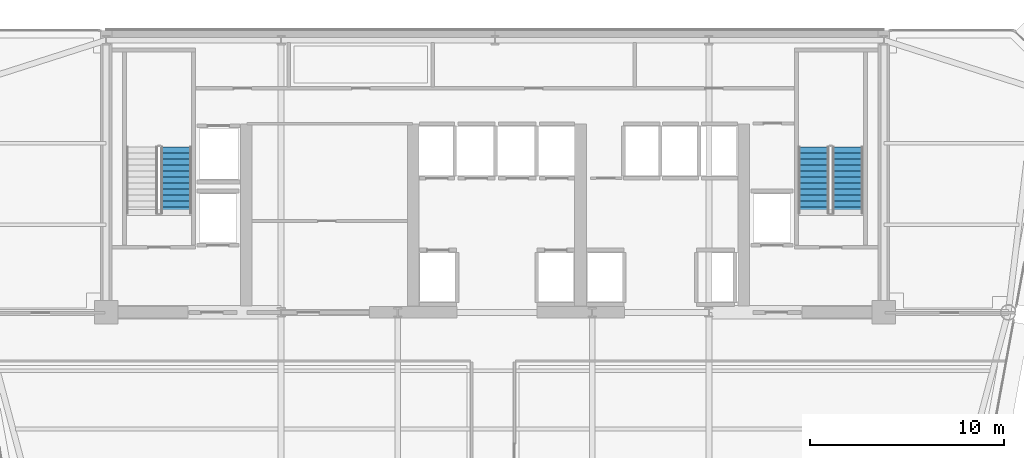
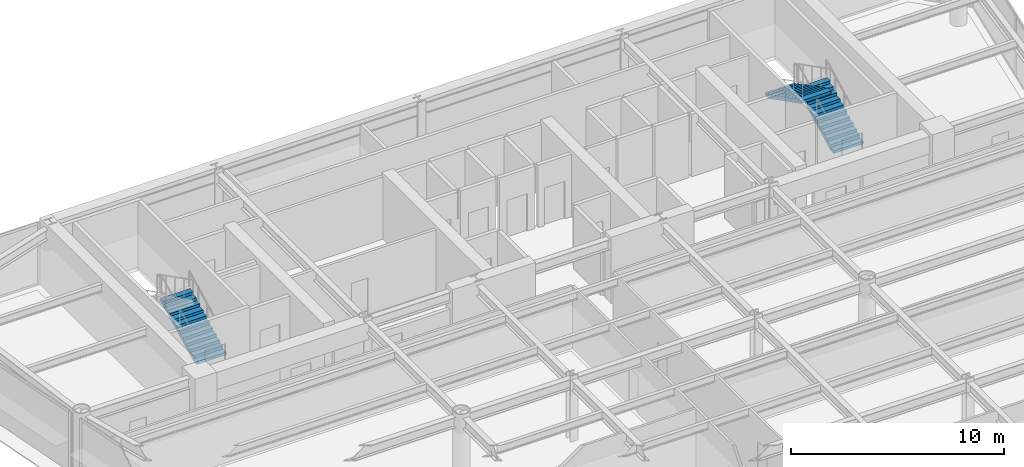
# One storey, part 12 of 16: 3 stair flights, 2 elements without a shape of their own.
"""IFC4 building model written with IfcOpenShell, lengths in metres."""

import ifcopenshell
import ifcopenshell.guid

model = None  # the IFC model being written
_history = None  # IfcOwnerHistory: only IFC2X3 demands one
_inside = {}  # id of a spatial element -> (the spatial element, [elements in it])
_under = {}  # id of a project, library or spatial element -> (it, [spatial elements below it])
_declared = {}  # id of a project -> (the project, [libraries it declares])
_typed = {}  # id of a type object -> (the type object, [elements of that type])
_made_of = {}  # id of a material, layer set ... -> (it, [elements and type objects made of it])


def new_model(schema):
    """Start an empty IFC model of exactly this schema.

    Asked for "IFC4X3", IfcOpenShell would pick the latest addendum, in which some entities
    have other attributes; the version numbers below select the first issue.
    IFC2X3 requires an IfcOwnerHistory on every rooted entity: one is made here for all.
    """
    global model, _history
    if schema == "IFC4X3":
        model = ifcopenshell.file(schema_version=(4, 3, 0, 0))
    else:
        model = ifcopenshell.file(schema=schema)
    _inside.clear()
    _under.clear()
    _declared.clear()
    _typed.clear()
    _made_of.clear()
    _history = None
    if model.schema == "IFC2X3":
        org = make("IfcOrganization", Name="unknown")
        user = make(
            "IfcPersonAndOrganization",
            ThePerson=make("IfcPerson", FamilyName="unknown"),
            TheOrganization=org,
        )
        app = make(
            "IfcApplication",
            ApplicationDeveloper=org,
            Version="unknown",
            ApplicationFullName="unknown",
            ApplicationIdentifier="unknown",
        )
        _history = make(
            "IfcOwnerHistory",
            OwningUser=user,
            OwningApplication=app,
            ChangeAction="ADDED",
            CreationDate=0,
        )
    return model


def make(cls, **values):
    """One entity of the class cls with the attributes given. An attribute that is None is left unset."""
    return model.create_entity(
        cls, **{name: value for name, value in values.items() if value is not None}
    )


def rooted(cls, **values):
    """An entity with a GlobalId (a new one), such as an element, a storey or a relation."""
    return make(cls, GlobalId=ifcopenshell.guid.new(), OwnerHistory=_history, **values)


def si_unit(unit_type, name, prefix=None):
    """IfcSIUnit, for example si_unit("LENGTHUNIT", "METRE", prefix="MILLI")."""
    return make("IfcSIUnit", UnitType=unit_type, Prefix=prefix, Name=name)


def assignment(units):
    """IfcUnitAssignment: the units of a project."""
    return None if units is None else make("IfcUnitAssignment", Units=units)


def point(xyz):
    """IfcCartesianPoint."""
    return None if xyz is None else make("IfcCartesianPoint", Coordinates=xyz)


def direction(xyz):
    """IfcDirection."""
    return None if xyz is None else make("IfcDirection", DirectionRatios=xyz)


def frame(location, z_axis=None, x_axis=None):
    """IfcAxis2Placement3D, a coordinate frame: its origin and axes. An axis left out is left unset."""
    return make(
        "IfcAxis2Placement3D",
        Location=point(location),
        Axis=direction(z_axis),
        RefDirection=direction(x_axis),
    )


def origin():
    """The frame at (0, 0, 0) with its axes left unset."""
    return frame((0.0, 0.0, 0.0))


def place(relative_to, where):
    """IfcLocalPlacement: puts the frame where relative to a parent placement (None: the world)."""
    return make(
        "IfcLocalPlacement", PlacementRelTo=relative_to, RelativePlacement=where
    )


def context(
    kind, dimensions, precision=None, world=None, true_north=None, identifier=None
):
    """IfcGeometricRepresentationContext, for example the 3D "Model" context."""
    return make(
        "IfcGeometricRepresentationContext",
        ContextIdentifier=identifier,
        ContextType=kind,
        CoordinateSpaceDimension=dimensions,
        Precision=precision,
        WorldCoordinateSystem=world,
        TrueNorth=true_north,
    )


def subcontext(parent, identifier, kind, view, scale=None):
    """IfcGeometricRepresentationSubContext, for example "Body" below "Model"."""
    return make(
        "IfcGeometricRepresentationSubContext",
        ContextIdentifier=identifier,
        ContextType=kind,
        ParentContext=parent,
        TargetScale=scale,
        TargetView=view,
    )


def project(units=None, contexts=None):
    """IfcProject with its units and contexts."""
    return rooted(
        "IfcProject",
        Name="project",
        RepresentationContexts=contexts,
        UnitsInContext=assignment(units),
    )


def spatial(cls, under=None, at=None, **own):
    """A site, building, storey or space (cls), placed at a placement, below another one or the project."""
    s = rooted(cls, ObjectPlacement=at, **own)
    if under is not None:
        _under.setdefault(under.id(), (under, []))[1].append(s)
    return s


def polyline(points):
    """IfcPolyline through the points."""
    return make("IfcPolyline", Points=[point(p) for p in points])


def outline(outer, holes=None, kind="AREA"):
    """IfcArbitraryClosedProfileDef: a profile drawn as a closed curve; with holes, ...WithVoids."""
    if holes is None:
        return make("IfcArbitraryClosedProfileDef", ProfileType=kind, OuterCurve=outer)
    return make(
        "IfcArbitraryProfileDefWithVoids",
        ProfileType=kind,
        OuterCurve=outer,
        InnerCurves=holes,
    )


def extrude(swept, where, along, depth):
    """IfcExtrudedAreaSolid: the profile swept, set in the frame where, extruded along a direction by depth."""
    return make(
        "IfcExtrudedAreaSolid",
        SweptArea=swept,
        Position=where,
        ExtrudedDirection=direction(along),
        Depth=depth,
    )


def shape(context_of_items, identifier, shape_type, items):
    """IfcShapeRepresentation: the items that make up one representation, for example the "Body"."""
    return make(
        "IfcShapeRepresentation",
        ContextOfItems=context_of_items,
        RepresentationIdentifier=identifier,
        RepresentationType=shape_type,
        Items=items,
    )


def material(Name=None, Category=None):
    """IfcMaterial."""
    return make("IfcMaterial", Name=Name, Category=Category)


def made_of(thing, what):
    """Note that an element or type object is made of a material, layer set ...; save() writes the relation."""
    if what is not None:
        _made_of.setdefault(what.id(), (what, []))[1].append(thing)
    return thing


def type_object(cls, material=None, **own):
    """A type object (cls), such as IfcWallType, which elements share."""
    return made_of(rooted(cls, **own), material)


def element(
    cls,
    number,
    at=None,
    inside=None,
    cuts=None,
    type_object=None,
    material=None,
    context=None,
    identifier="Body",
    shape_type=None,
    held_by="IfcProductDefinitionShape",
    body=None,
    shapes=None,
    **own,
):
    """One element of the class cls, such as IfcWall. Its Tag is "e" and its number.

    at: its placement. inside: the storey or other place that contains it. cuts: it is an
    opening in that element (IfcRelVoidsElement). A single representation is given by context,
    identifier, shape_type and body (its items); several are given by shapes. held_by: the class
    of the entity that holds the representations. save() writes the other relations.
    """
    e = rooted(cls, Tag="e%d" % number, ObjectPlacement=at, **own)
    if body is not None:
        shapes = [shape(context, identifier, shape_type, body)]
    if shapes is not None:
        e.Representation = make(held_by, Representations=shapes)
    if inside is not None:
        _inside.setdefault(inside.id(), (inside, []))[1].append(e)
    if cuts is not None:
        rooted(
            "IfcRelVoidsElement", RelatingBuildingElement=cuts, RelatedOpeningElement=e
        )
    if type_object is not None:
        _typed.setdefault(type_object.id(), (type_object, []))[1].append(e)
    return made_of(e, material)


def aggregate(whole, parts):
    """IfcRelAggregates: a whole, such as a stair, and the parts it consists of."""
    return rooted("IfcRelAggregates", RelatingObject=whole, RelatedObjects=parts)


def save(model, path):
    """Write the relations noted so far, then the file.

    IfcRelAggregates (storeys below a building ...), IfcRelContainedInSpatialStructure (elements
    in a storey), IfcRelDefinesByType, IfcRelAssociatesMaterial and IfcRelDeclares: one each for
    every whole, place, type object, material and project.
    """
    for whole, parts in _under.values():
        aggregate(whole, parts)
    for where, things in _inside.values():
        rooted(
            "IfcRelContainedInSpatialStructure",
            RelatedElements=things,
            RelatingStructure=where,
        )
    for kind, things in _typed.values():
        rooted("IfcRelDefinesByType", RelatedObjects=things, RelatingType=kind)
    for what, things in _made_of.values():
        rooted("IfcRelAssociatesMaterial", RelatedObjects=things, RelatingMaterial=what)
    for by, libraries in _declared.values():
        rooted("IfcRelDeclares", RelatingContext=by, RelatedDefinitions=libraries)
    model.write(path)


model = new_model("IFC4")

# Units and contexts
model_context = context("Model", 3, precision=1e-05, world=origin(), true_north=direction((0.0, 1.0)))
body_context = subcontext(model_context, "Body", "Model", "MODEL_VIEW")
ifc_project = project(units=[si_unit("LENGTHUNIT", "METRE"), si_unit("AREAUNIT", "SQUARE_METRE"), si_unit("VOLUMEUNIT", "CUBIC_METRE"), si_unit("PLANEANGLEUNIT", "RADIAN"), si_unit("MASSUNIT", "GRAM", prefix="KILO")], contexts=[model_context])

# Site, building, storey
site_placement = place(None, origin())
site = spatial("IfcSite", under=ifc_project, at=site_placement, CompositionType="ELEMENT")
building_placement = place(site_placement, origin())
building = spatial("IfcBuilding", under=site, at=building_placement, Name="Vaeldorn Concourse Tower", CompositionType="ELEMENT")
storey_placement = place(building_placement, frame((0.0, 0.0, 191.800048828125)))
storey = spatial("IfcBuildingStorey", under=building, at=storey_placement, Name="L49", CompositionType="ELEMENT", Elevation=191.800048828125)

# Stair, stair flight
ifc_material = material(Name="Precast concrete C40/50", Category="concrete")
stair_type = type_object("IfcStairType", Name="STR-DOG-24x158", PredefinedType="HALF_TURN_STAIR", material=ifc_material)
stair_1_placement = place(storey_placement, origin())
stair_1 = element("IfcStair", 1, at=stair_1_placement, inside=storey, type_object=stair_type, Name="L49 West Core Exit Stair ST-1", PredefinedType="HALF_TURN_STAIR")
stair_flight_type = type_object("IfcStairFlightType", Name="STF-STR-12x158", PredefinedType="STRAIGHT", material=ifc_material)
stair_flight_1_placement = place(storey_placement, frame((17.60009765625, 41.60009765625, 0.0), z_axis=(0.0, 0.0, 1.0), x_axis=(0.0, 1.0, 0.0)))
stair_flight_1 = element("IfcStairFlight", 2, at=stair_flight_1_placement, type_object=stair_flight_type, Name="ST-1 flight 1", NumberOfRisers=12, NumberOfTreads=11, PredefinedType="STRAIGHT", RiserHeight=0.158333333, TreadLength=0.31, context=body_context, shape_type="SweptSolid", body=[
    extrude(outline(polyline([(0.0, 0.0), (0.0, 0.158447265625), (0.31005859375, 0.158447265625), (0.31005859375, 0.316650390625), (0.6201171875, 0.316650390625), (0.6201171875, 0.47509765625), (0.929931640625, 0.47509765625), (0.929931640625, 0.63330078125), (1.239990234375, 0.63330078125), (1.239990234375, 0.791748046875), (1.550048828125, 0.791748046875), (1.550048828125, 0.949951171875), (1.860107421875, 0.949951171875), (1.860107421875, 1.1083984375), (2.169921875, 1.1083984375), (2.169921875, 1.2666015625), (2.47998046875, 1.2666015625), (2.47998046875, 1.425048828125), (2.7900390625, 1.425048828125), (2.7900390625, 1.583251953125), (3.10009765625, 1.583251953125), (3.10009765625, 1.74169921875), (3.409912109375, 1.74169921875), (3.409912109375, 1.89990234375), (3.409912109375, 1.5732421875), (0.32958984375, 0.0), (0.0, 0.0)])), frame((0.0, 0.800048828125, 0.0), z_axis=(0.0, -1.0, 0.0), x_axis=(1.0, 0.0, 0.0)), (0.0, 0.0, 1.0), 1.60009765625),
])
aggregate(stair_1, [stair_flight_1])

# Stair, stair flights
stair_2_placement = place(storey_placement, origin())
stair_2 = element("IfcStair", 3, at=stair_2_placement, inside=storey, type_object=stair_type, Name="L49 East Core Exit Stair ST-2", PredefinedType="HALF_TURN_STAIR")
stair_flight_2_placement = place(storey_placement, frame((52.14990234375, 41.60009765625, 0.0), z_axis=(0.0, 0.0, 1.0), x_axis=(0.0, 1.0, 0.0)))
stair_flight_2 = element("IfcStairFlight", 4, at=stair_flight_2_placement, type_object=stair_flight_type, Name="ST-2 flight 1", NumberOfRisers=12, NumberOfTreads=11, PredefinedType="STRAIGHT", RiserHeight=0.158333333, TreadLength=0.31, context=body_context, shape_type="SweptSolid", body=[
    extrude(outline(polyline([(0.0, 0.0), (0.0, 0.158447265625), (0.31005859375, 0.158447265625), (0.31005859375, 0.316650390625), (0.6201171875, 0.316650390625), (0.6201171875, 0.47509765625), (0.929931640625, 0.47509765625), (0.929931640625, 0.63330078125), (1.239990234375, 0.63330078125), (1.239990234375, 0.791748046875), (1.550048828125, 0.791748046875), (1.550048828125, 0.949951171875), (1.860107421875, 0.949951171875), (1.860107421875, 1.1083984375), (2.169921875, 1.1083984375), (2.169921875, 1.2666015625), (2.47998046875, 1.2666015625), (2.47998046875, 1.425048828125), (2.7900390625, 1.425048828125), (2.7900390625, 1.583251953125), (3.10009765625, 1.583251953125), (3.10009765625, 1.74169921875), (3.409912109375, 1.74169921875), (3.409912109375, 1.89990234375), (3.409912109375, 1.5732421875), (0.32958984375, 0.0), (0.0, 0.0)])), frame((0.0, 0.800048828125, 0.0), z_axis=(0.0, -1.0, 0.0), x_axis=(1.0, 0.0, 0.0)), (0.0, 0.0, 1.0), 1.60009765625),
])
stair_flight_3_placement = place(storey_placement, frame((50.39990234375, 45.010009765625, 1.89990234375), z_axis=(0.0, 0.0, 1.0), x_axis=(0.0, -1.0, 0.0)))
stair_flight_3 = element("IfcStairFlight", 5, at=stair_flight_3_placement, type_object=stair_flight_type, Name="ST-2 flight 2", NumberOfRisers=12, NumberOfTreads=11, PredefinedType="STRAIGHT", RiserHeight=0.158333333, TreadLength=0.31, context=body_context, shape_type="SweptSolid", body=[
    extrude(outline(polyline([(0.0, 0.0), (0.0, 0.158447265625), (0.31005859375, 0.158447265625), (0.31005859375, 0.316650390625), (0.6201171875, 0.316650390625), (0.6201171875, 0.47509765625), (0.929931640625, 0.47509765625), (0.929931640625, 0.63330078125), (1.239990234375, 0.63330078125), (1.239990234375, 0.791748046875), (1.550048828125, 0.791748046875), (1.550048828125, 0.949951171875), (1.860107421875, 0.949951171875), (1.860107421875, 1.1083984375), (2.169921875, 1.1083984375), (2.169921875, 1.2666015625), (2.47998046875, 1.2666015625), (2.47998046875, 1.425048828125), (2.7900390625, 1.425048828125), (2.7900390625, 1.583251953125), (3.10009765625, 1.583251953125), (3.10009765625, 1.74169921875), (3.409912109375, 1.74169921875), (3.409912109375, 1.89990234375), (3.409912109375, 1.5732421875), (0.32958984375, 0.0), (0.0, 0.0)])), frame((0.0, 0.800048828125, 0.0), z_axis=(0.0, -1.0, 0.0), x_axis=(1.0, 0.0, 0.0)), (0.0, 0.0, 1.0), 1.60009765625),
])
aggregate(stair_2, [stair_flight_2, stair_flight_3])

save(model, "model.ifc")
